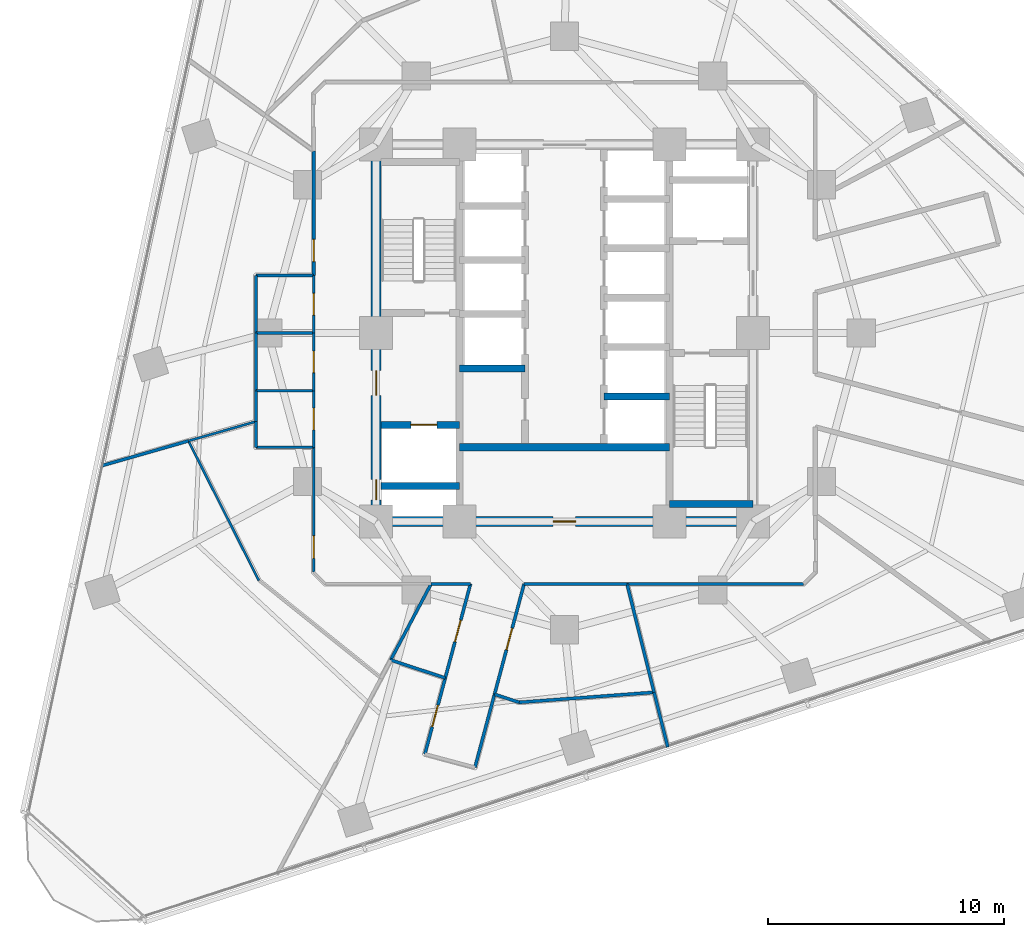
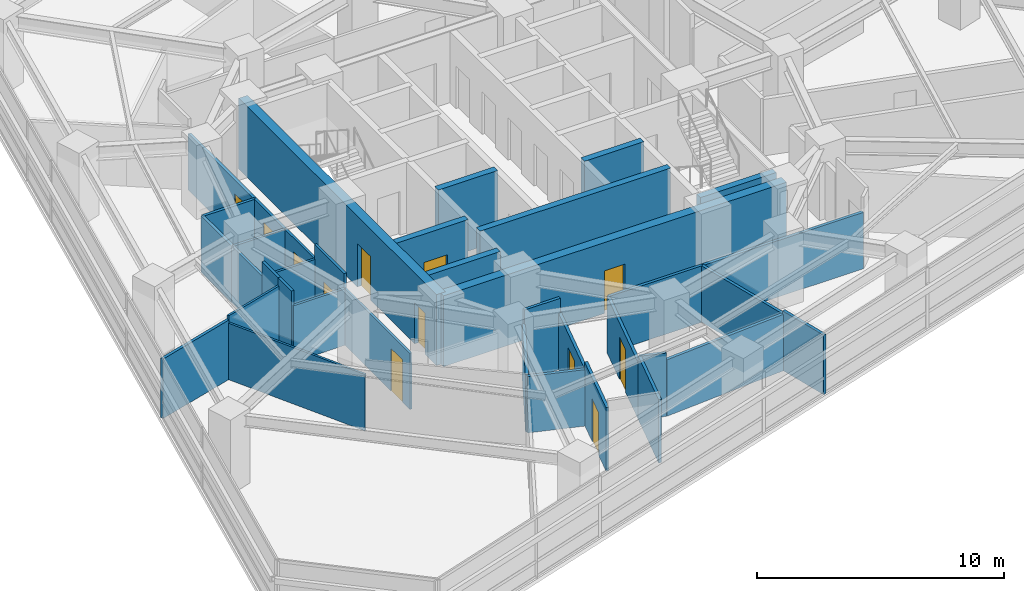
# One storey, part 7 of 13: 37 walls, 12 doors, 12 openings.
"""IFC4 building model written with IfcOpenShell, lengths in metres."""

import ifcopenshell
import ifcopenshell.guid

model = None  # the IFC model being written
_history = None  # IfcOwnerHistory: only IFC2X3 demands one
_inside = {}  # id of a spatial element -> (the spatial element, [elements in it])
_under = {}  # id of a project, library or spatial element -> (it, [spatial elements below it])
_declared = {}  # id of a project -> (the project, [libraries it declares])
_typed = {}  # id of a type object -> (the type object, [elements of that type])
_made_of = {}  # id of a material, layer set ... -> (it, [elements and type objects made of it])


def new_model(schema):
    """Start an empty IFC model of exactly this schema.

    Asked for "IFC4X3", IfcOpenShell would pick the latest addendum, in which some entities
    have other attributes; the version numbers below select the first issue.
    IFC2X3 requires an IfcOwnerHistory on every rooted entity: one is made here for all.
    """
    global model, _history
    if schema == "IFC4X3":
        model = ifcopenshell.file(schema_version=(4, 3, 0, 0))
    else:
        model = ifcopenshell.file(schema=schema)
    _inside.clear()
    _under.clear()
    _declared.clear()
    _typed.clear()
    _made_of.clear()
    _history = None
    if model.schema == "IFC2X3":
        org = make("IfcOrganization", Name="unknown")
        user = make(
            "IfcPersonAndOrganization",
            ThePerson=make("IfcPerson", FamilyName="unknown"),
            TheOrganization=org,
        )
        app = make(
            "IfcApplication",
            ApplicationDeveloper=org,
            Version="unknown",
            ApplicationFullName="unknown",
            ApplicationIdentifier="unknown",
        )
        _history = make(
            "IfcOwnerHistory",
            OwningUser=user,
            OwningApplication=app,
            ChangeAction="ADDED",
            CreationDate=0,
        )
    return model


def make(cls, **values):
    """One entity of the class cls with the attributes given. An attribute that is None is left unset."""
    return model.create_entity(
        cls, **{name: value for name, value in values.items() if value is not None}
    )


def rooted(cls, **values):
    """An entity with a GlobalId (a new one), such as an element, a storey or a relation."""
    return make(cls, GlobalId=ifcopenshell.guid.new(), OwnerHistory=_history, **values)


def si_unit(unit_type, name, prefix=None):
    """IfcSIUnit, for example si_unit("LENGTHUNIT", "METRE", prefix="MILLI")."""
    return make("IfcSIUnit", UnitType=unit_type, Prefix=prefix, Name=name)


def assignment(units):
    """IfcUnitAssignment: the units of a project."""
    return None if units is None else make("IfcUnitAssignment", Units=units)


def point(xyz):
    """IfcCartesianPoint."""
    return None if xyz is None else make("IfcCartesianPoint", Coordinates=xyz)


def direction(xyz):
    """IfcDirection."""
    return None if xyz is None else make("IfcDirection", DirectionRatios=xyz)


def frame(location, z_axis=None, x_axis=None):
    """IfcAxis2Placement3D, a coordinate frame: its origin and axes. An axis left out is left unset."""
    return make(
        "IfcAxis2Placement3D",
        Location=point(location),
        Axis=direction(z_axis),
        RefDirection=direction(x_axis),
    )


def frame_2d(location, x_axis=None):
    """IfcAxis2Placement2D, a coordinate frame in the plane: its origin and x axis."""
    return make(
        "IfcAxis2Placement2D", Location=point(location), RefDirection=direction(x_axis)
    )


def origin():
    """The frame at (0, 0, 0) with its axes left unset."""
    return frame((0.0, 0.0, 0.0))


def place(relative_to, where):
    """IfcLocalPlacement: puts the frame where relative to a parent placement (None: the world)."""
    return make(
        "IfcLocalPlacement", PlacementRelTo=relative_to, RelativePlacement=where
    )


def context(
    kind, dimensions, precision=None, world=None, true_north=None, identifier=None
):
    """IfcGeometricRepresentationContext, for example the 3D "Model" context."""
    return make(
        "IfcGeometricRepresentationContext",
        ContextIdentifier=identifier,
        ContextType=kind,
        CoordinateSpaceDimension=dimensions,
        Precision=precision,
        WorldCoordinateSystem=world,
        TrueNorth=true_north,
    )


def subcontext(parent, identifier, kind, view, scale=None):
    """IfcGeometricRepresentationSubContext, for example "Body" below "Model"."""
    return make(
        "IfcGeometricRepresentationSubContext",
        ContextIdentifier=identifier,
        ContextType=kind,
        ParentContext=parent,
        TargetScale=scale,
        TargetView=view,
    )


def project(units=None, contexts=None):
    """IfcProject with its units and contexts."""
    return rooted(
        "IfcProject",
        Name="project",
        RepresentationContexts=contexts,
        UnitsInContext=assignment(units),
    )


def spatial(cls, under=None, at=None, **own):
    """A site, building, storey or space (cls), placed at a placement, below another one or the project."""
    s = rooted(cls, ObjectPlacement=at, **own)
    if under is not None:
        _under.setdefault(under.id(), (under, []))[1].append(s)
    return s


def profile(cls, at=None, kind="AREA", **sizes):
    """A parametric profile (cls). Its sizes go by their IFC names, for example OverallWidth=200.0."""
    return make(cls, ProfileType=kind, Position=at, **sizes)


def rectangle(**sizes):
    """IfcRectangleProfileDef."""
    return profile("IfcRectangleProfileDef", **sizes)


def extrude(swept, where, along, depth):
    """IfcExtrudedAreaSolid: the profile swept, set in the frame where, extruded along a direction by depth."""
    return make(
        "IfcExtrudedAreaSolid",
        SweptArea=swept,
        Position=where,
        ExtrudedDirection=direction(along),
        Depth=depth,
    )


def shape(context_of_items, identifier, shape_type, items):
    """IfcShapeRepresentation: the items that make up one representation, for example the "Body"."""
    return make(
        "IfcShapeRepresentation",
        ContextOfItems=context_of_items,
        RepresentationIdentifier=identifier,
        RepresentationType=shape_type,
        Items=items,
    )


def material(Name=None, Category=None):
    """IfcMaterial."""
    return make("IfcMaterial", Name=Name, Category=Category)


def layer(
    of_material, thickness, ventilated=None, Name=None, Category=None, Priority=None
):
    """IfcMaterialLayer: one layer of a wall or slab, of a material (None: an air gap)."""
    return make(
        "IfcMaterialLayer",
        Material=of_material,
        LayerThickness=thickness,
        IsVentilated=ventilated,
        Name=Name,
        Category=Category,
        Priority=Priority,
    )


def layer_set(layers, Name=None):
    """IfcMaterialLayerSet."""
    return make("IfcMaterialLayerSet", MaterialLayers=layers, LayerSetName=Name)


def made_of(thing, what):
    """Note that an element or type object is made of a material, layer set ...; save() writes the relation."""
    if what is not None:
        _made_of.setdefault(what.id(), (what, []))[1].append(thing)
    return thing


def type_object(cls, material=None, **own):
    """A type object (cls), such as IfcWallType, which elements share."""
    return made_of(rooted(cls, **own), material)


def element(
    cls,
    number,
    at=None,
    inside=None,
    cuts=None,
    type_object=None,
    material=None,
    context=None,
    identifier="Body",
    shape_type=None,
    held_by="IfcProductDefinitionShape",
    body=None,
    shapes=None,
    **own,
):
    """One element of the class cls, such as IfcWall. Its Tag is "e" and its number.

    at: its placement. inside: the storey or other place that contains it. cuts: it is an
    opening in that element (IfcRelVoidsElement). A single representation is given by context,
    identifier, shape_type and body (its items); several are given by shapes. held_by: the class
    of the entity that holds the representations. save() writes the other relations.
    """
    e = rooted(cls, Tag="e%d" % number, ObjectPlacement=at, **own)
    if body is not None:
        shapes = [shape(context, identifier, shape_type, body)]
    if shapes is not None:
        e.Representation = make(held_by, Representations=shapes)
    if inside is not None:
        _inside.setdefault(inside.id(), (inside, []))[1].append(e)
    if cuts is not None:
        rooted(
            "IfcRelVoidsElement", RelatingBuildingElement=cuts, RelatedOpeningElement=e
        )
    if type_object is not None:
        _typed.setdefault(type_object.id(), (type_object, []))[1].append(e)
    return made_of(e, material)


def fill(opening, filler):
    """IfcRelFillsElement: the door or window that sits in an opening."""
    return rooted(
        "IfcRelFillsElement",
        RelatingOpeningElement=opening,
        RelatedBuildingElement=filler,
    )


def aggregate(whole, parts):
    """IfcRelAggregates: a whole, such as a stair, and the parts it consists of."""
    return rooted("IfcRelAggregates", RelatingObject=whole, RelatedObjects=parts)


def save(model, path):
    """Write the relations noted so far, then the file.

    IfcRelAggregates (storeys below a building ...), IfcRelContainedInSpatialStructure (elements
    in a storey), IfcRelDefinesByType, IfcRelAssociatesMaterial and IfcRelDeclares: one each for
    every whole, place, type object, material and project.
    """
    for whole, parts in _under.values():
        aggregate(whole, parts)
    for where, things in _inside.values():
        rooted(
            "IfcRelContainedInSpatialStructure",
            RelatedElements=things,
            RelatingStructure=where,
        )
    for kind, things in _typed.values():
        rooted("IfcRelDefinesByType", RelatedObjects=things, RelatingType=kind)
    for what, things in _made_of.values():
        rooted("IfcRelAssociatesMaterial", RelatedObjects=things, RelatingMaterial=what)
    for by, libraries in _declared.values():
        rooted("IfcRelDeclares", RelatingContext=by, RelatedDefinitions=libraries)
    model.write(path)


model = new_model("IFC4")

# Units and contexts
model_context = context("Model", 3, precision=1e-05, world=origin(), true_north=direction((0.0, 1.0)))
body_context = subcontext(model_context, "Body", "Model", "MODEL_VIEW")
ifc_project = project(units=[si_unit("LENGTHUNIT", "METRE"), si_unit("AREAUNIT", "SQUARE_METRE"), si_unit("VOLUMEUNIT", "CUBIC_METRE"), si_unit("PLANEANGLEUNIT", "RADIAN"), si_unit("MASSUNIT", "GRAM", prefix="KILO")], contexts=[model_context])

# Site, building, storey
site_placement = place(None, origin())
site = spatial("IfcSite", under=ifc_project, at=site_placement, CompositionType="ELEMENT")
building_placement = place(site_placement, origin())
building = spatial("IfcBuilding", under=site, at=building_placement, Name="Terralouvre Media Tower", CompositionType="ELEMENT")
storey_placement = place(building_placement, frame((0.0, 0.0, 90.300048828125)))
storey = spatial("IfcBuildingStorey", under=building, at=storey_placement, Name="L22", CompositionType="ELEMENT", Elevation=90.300048828125)

# Wall
ifc_material_1 = material(Name="Concrete C50/60", Category="concrete")
ifc_layer_1 = layer(ifc_material_1, 0.300048828125, Name="Core Internal Shaft Wall CW-300")
ifc_layer_set_1 = layer_set([ifc_layer_1], Name="Concrete C50/60")
wall_type_1 = type_object("IfcWallType", Name="Core Internal Shaft Wall CW-300", PredefinedType="SHEAR", material=ifc_layer_set_1)
wall_1_placement = place(storey_placement, frame((4.449951171875, -7.260009765625, 0.0), z_axis=(0.0, 0.0, 1.0), x_axis=(1.0, 0.0, 0.0)))
element("IfcWall", 1, at=wall_1_placement, inside=storey, type_object=wall_type_1, Name="L22 Core Shaft Wall ST2F", PredefinedType="SHEAR", context=body_context, shape_type="SweptSolid", body=[
    extrude(rectangle(XDim=3.550048828125, YDim=0.300048828125, at=frame_2d((1.77490234375, 0.0))), origin(), (0.0, 0.0, 1.0), 3.5),
])

# Wall, opening, door
wall_2_placement = place(storey_placement, frame((-7.7900390625, -3.89990234375, 0.0), z_axis=(0.0, 0.0, 1.0), x_axis=(1.0, 0.0, 0.0)))
wall_2 = element("IfcWall", 2, at=wall_2_placement, inside=storey, type_object=wall_type_1, Name="L22 Core Shaft Wall FF1N", PredefinedType="SHEAR", context=body_context, shape_type="SweptSolid", body=[
    extrude(rectangle(XDim=3.340087890625, YDim=0.300048828125, at=frame_2d((1.669921875, 0.0))), origin(), (0.0, 0.0, 1.0), 3.5),
])
opening_1_placement = place(wall_2_placement, frame((1.27001953125, 0.0, 0.0)))
opening_1 = element("IfcOpeningElement", 3, at=opening_1_placement, cuts=wall_2, Name="Opening LD-FF", PredefinedType="OPENING", context=body_context, shape_type="SweptSolid", body=[
    extrude(rectangle(XDim=1.10009765625, YDim=2.10009765625, at=frame_2d((0.550048828125, 1.050048828125))), frame((0.0, 0.159912109375, 0.0), z_axis=(0.0, -1.0, 0.0), x_axis=(1.0, 0.0, 0.0)), (0.0, 0.0, 1.0), 0.320068359375),
])
ifc_material_2 = material(Name="Stainless steel 316 handrail and balustrade", Category="steel")
door_type_1 = type_object("IfcDoorType", Name="Firefighting Lift Sliding Landing Door LD-FF", OperationType="SLIDING_TO_LEFT", PredefinedType="DOOR", material=ifc_material_2)
door_1_placement = place(opening_1_placement, origin())
door_1 = element("IfcDoor", 4, at=door_1_placement, inside=storey, type_object=door_type_1, Name="L22 Firefighting Lift FFL-01 Landing Door", OperationType="SLIDING_TO_LEFT", OverallHeight=2.10009765625, OverallWidth=1.10009765625, PredefinedType="DOOR", context=body_context, shape_type="SweptSolid", body=[
    extrude(rectangle(XDim=1.10009765625, YDim=2.10009765625, at=frame_2d((0.550048828125, 1.050048828125))), frame((0.0, 0.02490234375, 0.0), z_axis=(0.0, -1.0, 0.0), x_axis=(1.0, 0.0, 0.0)), (0.0, 0.0, 1.0), 0.050048828125),
])
fill(opening_1, door_1)

# Walls
wall_3_placement = place(storey_placement, frame((-7.7900390625, -6.5, 0.0), z_axis=(0.0, 0.0, 1.0), x_axis=(1.0, 0.0, 0.0)))
element("IfcWall", 5, at=wall_3_placement, inside=storey, type_object=wall_type_1, Name="L22 Core Shaft Wall FF1S", PredefinedType="SHEAR", context=body_context, shape_type="SweptSolid", body=[
    extrude(rectangle(XDim=3.340087890625, YDim=0.300048828125, at=frame_2d((1.669921875, 0.0))), origin(), (0.0, 0.0, 1.0), 3.5),
])
wall_4_placement = place(storey_placement, frame((-4.449951171875, -4.85009765625, 0.0), z_axis=(0.0, 0.0, 1.0), x_axis=(1.0, 0.0, 0.0)))
element("IfcWall", 6, at=wall_4_placement, inside=storey, type_object=wall_type_1, Name="L22 Core Shaft Wall CSBN", PredefinedType="SHEAR", context=body_context, shape_type="SweptSolid", body=[
    extrude(rectangle(XDim=8.89990234375, YDim=0.300048828125, at=frame_2d((4.449951171875, 0.0))), origin(), (0.0, 0.0, 1.0), 3.5),
])
for number, where, z_axis, x_axis, name in (
    (7, (-4.449951171875, -1.5, 0.0), (0.0, 0.0, 1.0), (1.0, 0.0, 0.0), "L22 Core Shaft Wall PLLD0"),
    (8, (1.679931640625, -2.699951171875, 0.0), (0.0, 0.0, 1.0), (1.0, 0.0, 0.0), "L22 Core Shaft Wall PLHD1"),
):
    element("IfcWall", number, at=place(storey_placement, frame(where, z_axis=z_axis, x_axis=x_axis)), inside=storey, type_object=wall_type_1, Name=name, PredefinedType="SHEAR", context=body_context, shape_type="SweptSolid", body=[
        extrude(rectangle(XDim=2.77001953125, YDim=0.300048828125, at=frame_2d((1.385009765625, 0.0))), origin(), (0.0, 0.0, 1.0), 3.5),
    ])

# Wall, openings, doors
ifc_material_3 = material(Name="Concrete C60/75", Category="concrete")
ifc_layer_2 = layer(ifc_material_3, 0.419921875, Name="Core Reinforced Concrete Shear Wall CW-420")
ifc_layer_set_2 = layer_set([ifc_layer_2], Name="Concrete C60/75")
wall_type_2 = type_object("IfcWallType", Name="Core Reinforced Concrete Shear Wall CW-420", PredefinedType="SHEAR", material=ifc_layer_set_2)
wall_5_placement = place(storey_placement, frame((-8.0, -8.0, 0.0), z_axis=(0.0, 0.0, 1.0), x_axis=(0.0, 1.0, 0.0)))
wall_5 = element("IfcWall", 9, at=wall_5_placement, inside=storey, type_object=wall_type_2, Name="L22 W Core Shear Wall", PredefinedType="SHEAR", context=body_context, shape_type="SweptSolid", body=[
    extrude(rectangle(XDim=16.0, YDim=0.419921875, at=frame_2d((8.0, 0.0))), origin(), (0.0, 0.0, 1.0), 3.5),
])
opening_2_placement = place(wall_5_placement, frame((0.921630859375, 0.0, 0.0)))
opening_2 = element("IfcOpeningElement", 10, at=opening_2_placement, cuts=wall_5, Name="Opening TD-R1", PredefinedType="OPENING", context=body_context, shape_type="SweptSolid", body=[
    extrude(rectangle(XDim=0.85009765625, YDim=2.02001953125, at=frame_2d((0.425048828125, 1.010009765625))), frame((0.0, 0.219970703125, 0.0), z_axis=(0.0, -1.0, 0.0), x_axis=(1.0, 0.0, 0.0)), (0.0, 0.0, 1.0), 0.43994140625),
])
opening_3_placement = place(wall_5_placement, frame((5.35009765625, 0.0, 0.0)))
opening_3 = element("IfcOpeningElement", 11, at=opening_3_placement, cuts=wall_5, Name="Opening FD-01-105X215", PredefinedType="OPENING", context=body_context, shape_type="SweptSolid", body=[
    extrude(rectangle(XDim=1.050048828125, YDim=2.14990234375, at=frame_2d((0.52490234375, 1.074951171875))), frame((0.0, 0.219970703125, 0.0), z_axis=(0.0, -1.0, 0.0), x_axis=(1.0, 0.0, 0.0)), (0.0, 0.0, 1.0), 0.43994140625),
])
ifc_material_4 = material(Name="Galvanised steel fire-resisting leaf", Category="steel")
door_type_2 = type_object("IfcDoorType", Name="Riser Inspection Access Trapdoor TD-R1", OperationType="NOTDEFINED", PredefinedType="TRAPDOOR", material=ifc_material_4)
door_2_placement = place(opening_2_placement, origin())
door_2 = element("IfcDoor", 12, at=door_2_placement, inside=storey, type_object=door_type_2, Name="L22 Wet Riser Access Trapdoor", OperationType="SINGLE_SWING_LEFT", OverallHeight=2.02001953125, OverallWidth=0.85009765625, PredefinedType="TRAPDOOR", context=body_context, shape_type="SweptSolid", body=[
    extrude(rectangle(XDim=0.85009765625, YDim=2.02001953125, at=frame_2d((0.425048828125, 1.010009765625))), frame((0.0, 0.02490234375, 0.0), z_axis=(0.0, -1.0, 0.0), x_axis=(1.0, 0.0, 0.0)), (0.0, 0.0, 1.0), 0.050048828125),
])
fill(opening_2, door_2)
ifc_material_5 = material(Name="Galvanised steel fire-resisting leaf", Category="steel")
door_type_3 = type_object("IfcDoorType", Name="Stair and Firefighting Lobby Fire Door FD-01 (1050x2150)", OperationType="NOTDEFINED", PredefinedType="DOOR", material=ifc_material_5)
door_3_placement = place(opening_3_placement, origin())
door_3 = element("IfcDoor", 13, at=door_3_placement, inside=storey, type_object=door_type_3, Name="L22 West Firefighting Lobby Entry Door", OperationType="SINGLE_SWING_RIGHT", OverallHeight=2.14990234375, OverallWidth=1.050048828125, PredefinedType="DOOR", context=body_context, shape_type="SweptSolid", body=[
    extrude(rectangle(XDim=1.050048828125, YDim=2.14990234375, at=frame_2d((0.52490234375, 1.074951171875))), frame((0.0, 0.02490234375, 0.0), z_axis=(0.0, -1.0, 0.0), x_axis=(1.0, 0.0, 0.0)), (0.0, 0.0, 1.0), 0.050048828125),
])
fill(opening_3, door_3)

# Wall, opening, door
wall_6_placement = place(storey_placement, frame((-8.0, -8.0, 0.0), z_axis=(0.0, 0.0, 1.0), x_axis=(1.0, 0.0, 0.0)))
wall_6 = element("IfcWall", 14, at=wall_6_placement, inside=storey, type_object=wall_type_2, Name="L22 S Core Shear Wall", PredefinedType="SHEAR", context=body_context, shape_type="SweptSolid", body=[
    extrude(rectangle(XDim=16.0, YDim=0.419921875, at=frame_2d((8.0, 0.0))), origin(), (0.0, 0.0, 1.0), 3.5),
])
opening_4_placement = place(wall_6_placement, frame((7.52001953125, 0.0, 0.0)))
opening_4 = element("IfcOpeningElement", 15, at=opening_4_placement, cuts=wall_6, Name="Opening FD-02-95X210", PredefinedType="OPENING", context=body_context, shape_type="SweptSolid", body=[
    extrude(rectangle(XDim=0.949951171875, YDim=2.10009765625, at=frame_2d((0.47509765625, 1.050048828125))), frame((0.0, 0.219970703125, 0.0), z_axis=(0.0, -1.0, 0.0), x_axis=(1.0, 0.0, 0.0)), (0.0, 0.0, 1.0), 0.43994140625),
])
ifc_material_6 = material(Name="Galvanised steel fire-resisting leaf", Category="steel")
door_type_4 = type_object("IfcDoorType", Name="Plant and Riser Fire Door FD-02 (950x2100)", OperationType="NOTDEFINED", PredefinedType="DOOR", material=ifc_material_6)
door_4_placement = place(opening_4_placement, origin())
door_4 = element("IfcDoor", 16, at=door_4_placement, inside=storey, type_object=door_type_4, Name="L22 Core Switchgear Plant Door", OperationType="SINGLE_SWING_LEFT", OverallHeight=2.10009765625, OverallWidth=0.949951171875, PredefinedType="DOOR", context=body_context, shape_type="SweptSolid", body=[
    extrude(rectangle(XDim=0.949951171875, YDim=2.10009765625, at=frame_2d((0.47509765625, 1.050048828125))), frame((0.0, 0.02490234375, 0.0), z_axis=(0.0, -1.0, 0.0), x_axis=(1.0, 0.0, 0.0)), (0.0, 0.0, 1.0), 0.050048828125),
])
fill(opening_4, door_4)

ifc_material_7 = material(Name="Low-iron laminated double glazing with solar-control coating", Category="glass")
ifc_layer_3 = layer(ifc_material_7, 0.10009765625, Name="Demountable Glazed Office Partition PT-GL100")
ifc_layer_set_3 = layer_set([ifc_layer_3], Name="Low-iron laminated double glazing with solar-control coating")
wall_type_3 = type_object("IfcWallType", Name="Demountable Glazed Office Partition PT-GL100", PredefinedType="MOVABLE", material=ifc_layer_set_3)
wall_7_placement = place(storey_placement, frame((-10.64990234375, -4.85009765625, 0.0), z_axis=(0.0, 0.0, 1.0), x_axis=(0.0, -1.0, 0.0)))
wall_7 = element("IfcWall", 17, at=wall_7_placement, inside=storey, type_object=wall_type_3, Name="L22 Interior Partition 019", PredefinedType="MOVABLE", context=body_context, shape_type="SweptSolid", body=[
    extrude(rectangle(XDim=5.2998046875, YDim=0.10009765625, at=frame_2d((2.64990234375, 0.0))), origin(), (0.0, 0.0, 1.0), 2.784912109375),
])
opening_5_placement = place(wall_7_placement, frame((3.764892578125, 0.0, 0.0)))
opening_5 = element("IfcOpeningElement", 18, at=opening_5_placement, cuts=wall_7, Name="Opening ID-02-95X210", PredefinedType="OPENING", context=body_context, shape_type="SweptSolid", body=[
    extrude(rectangle(XDim=0.949951171875, YDim=2.10009765625, at=frame_2d((0.47509765625, 1.050048828125))), frame((0.0, 0.06005859375, 0.0), z_axis=(0.0, -1.0, 0.0), x_axis=(1.0, 0.0, 0.0)), (0.0, 0.0, 1.0), 0.1201171875),
])
ifc_material_8 = material(Name="Engineered hardwood acoustic timber leaf", Category="wood")
door_type_5 = type_object("IfcDoorType", Name="Office and Meeting Room Door ID-02 (950x2100)", OperationType="NOTDEFINED", PredefinedType="DOOR", material=ifc_material_8)
door_5_placement = place(opening_5_placement, origin())
door_5 = element("IfcDoor", 19, at=door_5_placement, inside=storey, type_object=door_type_5, Name="L22 Storyboarding Conference Room 5 Door", OperationType="SINGLE_SWING_RIGHT", OverallHeight=2.10009765625, OverallWidth=0.949951171875, PredefinedType="DOOR", context=body_context, shape_type="SweptSolid", body=[
    extrude(rectangle(XDim=0.949951171875, YDim=2.10009765625, at=frame_2d((0.47509765625, 1.050048828125))), frame((0.0, 0.02490234375, 0.0), z_axis=(0.0, -1.0, 0.0), x_axis=(1.0, 0.0, 0.0)), (0.0, 0.0, 1.0), 0.050048828125),
])
fill(opening_5, door_5)

# Walls
wall_8_placement = place(storey_placement, frame((-15.968017578125, -4.5791015625, 0.0), z_axis=(0.0, 0.0, 1.0), x_axis=(0.450166439867, -0.892944665933, 0.0)))
element("IfcWall", 20, at=wall_8_placement, inside=storey, type_object=wall_type_3, Name="L22 Interior Partition 049", PredefinedType="MOVABLE", context=body_context, shape_type="SweptSolid", body=[
    extrude(rectangle(XDim=6.641845703125, YDim=0.10009765625, at=frame_2d((3.32080078125, 0.0))), origin(), (0.0, 0.0, 1.0), 2.784912109375),
])
wall_9_placement = place(storey_placement, frame((-13.10009765625, -3.756103515625, 0.0), z_axis=(0.0, 0.0, 1.0), x_axis=(-0.961205264208, -0.275834080671, 0.0)))
element("IfcWall", 21, at=wall_9_placement, inside=storey, type_object=wall_type_3, Name="L22 Interior Partition 051", PredefinedType="MOVABLE", context=body_context, shape_type="SweptSolid", body=[
    extrude(rectangle(XDim=2.983642578125, YDim=0.10009765625, at=frame_2d((1.49169921875, 0.0))), origin(), (0.0, 0.0, 1.0), 3.125),
])
ifc_material_9 = material(Name="Fire-rated gypsum board drywall partition")
ifc_layer_4 = layer(ifc_material_9, 0.135009765625, Name="Newsroom Acoustic Partition PT-135")
ifc_layer_set_4 = layer_set([ifc_layer_4], Name="Fire-rated gypsum board drywall partition")
wall_type_4 = type_object("IfcWallType", Name="Newsroom Acoustic Partition PT-135", PredefinedType="PARTITIONING", material=ifc_layer_set_4)
wall_10_placement = place(storey_placement, frame((-5.6630859375, -10.64990234375, 0.0), z_axis=(0.0, 0.0, 1.0), x_axis=(1.0, 0.0, 0.0)))
element("IfcWall", 22, at=wall_10_placement, inside=storey, type_object=wall_type_4, Name="L22 Interior Partition 010", PredefinedType="PARTITIONING", context=body_context, shape_type="SweptSolid", body=[
    extrude(rectangle(XDim=1.671142578125, YDim=0.135009765625, at=frame_2d((0.83544921875, 0.0))), origin(), (0.0, 0.0, 1.0), 3.5),
])

# Wall, opening, door
wall_11_placement = place(storey_placement, frame((-3.991943359375, -10.64990234375, 0.0), z_axis=(0.0, 0.0, 1.0), x_axis=(-0.259046685972, -0.96586480135, 0.0)))
wall_11 = element("IfcWall", 23, at=wall_11_placement, inside=storey, type_object=wall_type_4, Name="L22 Interior Partition 011", PredefinedType="PARTITIONING", context=body_context, shape_type="SweptSolid", body=[
    extrude(rectangle(XDim=4.138427734375, YDim=0.135009765625, at=frame_2d((2.0693359375, 0.0))), origin(), (0.0, 0.0, 1.0), 2.784912109375),
])
opening_6_placement = place(wall_11_placement, frame((1.593994140625, 0.0, 0.0)))
opening_6 = element("IfcOpeningElement", 24, at=opening_6_placement, cuts=wall_11, Name="Opening ID-02-95X210", PredefinedType="OPENING", context=body_context, shape_type="SweptSolid", body=[
    extrude(rectangle(XDim=0.949951171875, YDim=2.10009765625, at=frame_2d((0.47509765625, 1.050048828125))), frame((0.0, 0.077392578125, 0.0), z_axis=(0.0, -1.0, 0.0), x_axis=(1.0, 0.0, 0.0)), (0.0, 0.0, 1.0), 0.155029296875),
])
door_6_placement = place(opening_6_placement, origin())
door_6 = element("IfcDoor", 25, at=door_6_placement, inside=storey, type_object=door_type_5, Name="L22 Master Film Reel Vault Store 2 Door", OperationType="SINGLE_SWING_LEFT", OverallHeight=2.10009765625, OverallWidth=0.949951171875, PredefinedType="DOOR", context=body_context, shape_type="SweptSolid", body=[
    extrude(rectangle(XDim=0.949951171875, YDim=2.10009765625, at=frame_2d((0.47509765625, 1.050048828125))), frame((0.0, 0.02490234375, 0.0), z_axis=(0.0, -1.0, 0.0), x_axis=(1.0, 0.0, 0.0)), (0.0, 0.0, 1.0), 0.050048828125),
])
fill(opening_6, door_6)

wall_12_placement = place(storey_placement, frame((-5.06396484375, -14.64697265625, 0.0), z_axis=(0.0, 0.0, 1.0), x_axis=(-0.258558355083, -0.965995640268, 0.0)))
wall_12 = element("IfcWall", 26, at=wall_12_placement, inside=storey, type_object=wall_type_4, Name="L22 Interior Partition 012", PredefinedType="PARTITIONING", context=body_context, shape_type="SweptSolid", body=[
    extrude(rectangle(XDim=3.341552734375, YDim=0.135009765625, at=frame_2d((1.6708984375, 0.0))), origin(), (0.0, 0.0, 1.0), 3.125),
])
opening_7_placement = place(wall_12_placement, frame((1.19580078125, 0.0, 0.0)))
opening_7 = element("IfcOpeningElement", 27, at=opening_7_placement, cuts=wall_12, Name="Opening ID-02-95X210", PredefinedType="OPENING", context=body_context, shape_type="SweptSolid", body=[
    extrude(rectangle(XDim=0.949951171875, YDim=2.10009765625, at=frame_2d((0.47509765625, 1.050048828125))), frame((0.0, 0.077392578125, 0.0), z_axis=(0.0, -1.0, 0.0), x_axis=(1.0, 0.0, 0.0)), (0.0, 0.0, 1.0), 0.155029296875),
])
door_7_placement = place(opening_7_placement, origin())
door_7 = element("IfcDoor", 28, at=door_7_placement, inside=storey, type_object=door_type_5, Name="L22 Grading Client Lounge 3 Door", OperationType="SINGLE_SWING_RIGHT", OverallHeight=2.10009765625, OverallWidth=0.949951171875, PredefinedType="DOOR", context=body_context, shape_type="SweptSolid", body=[
    extrude(rectangle(XDim=0.949951171875, YDim=2.10009765625, at=frame_2d((0.47509765625, 1.050048828125))), frame((0.0, 0.02490234375, 0.0), z_axis=(0.0, -1.0, 0.0), x_axis=(1.0, 0.0, 0.0)), (0.0, 0.0, 1.0), 0.050048828125),
])
fill(opening_7, door_7)

# Wall
wall_13_placement = place(storey_placement, frame((-3.802978515625, -18.444091796875, 0.0), z_axis=(0.0, 0.0, 1.0), x_axis=(0.258739880159, 0.965947034995, 0.0)))
element("IfcWall", 29, at=wall_13_placement, inside=storey, type_object=wall_type_4, Name="L22 Interior Partition 014", PredefinedType="PARTITIONING", context=body_context, shape_type="SweptSolid", body=[
    extrude(rectangle(XDim=3.2158203125, YDim=0.135009765625, at=frame_2d((1.60791015625, 0.0))), origin(), (0.0, 0.0, 1.0), 3.125),
])

# Wall, opening, door
wall_14_placement = place(storey_placement, frame((-2.970947265625, -15.337890625, 0.0), z_axis=(0.0, 0.0, 1.0), x_axis=(0.258764582319, 0.965940417902, 0.0)))
wall_14 = element("IfcWall", 30, at=wall_14_placement, inside=storey, type_object=wall_type_4, Name="L22 Interior Partition 015", PredefinedType="PARTITIONING", context=body_context, shape_type="SweptSolid", body=[
    extrude(rectangle(XDim=4.853271484375, YDim=0.135009765625, at=frame_2d((2.4267578125, 0.0))), origin(), (0.0, 0.0, 1.0), 2.784912109375),
])
opening_8_placement = place(wall_14_placement, frame((1.95166015625, 0.0, 0.0)))
opening_8 = element("IfcOpeningElement", 31, at=opening_8_placement, cuts=wall_14, Name="Opening ID-02-95X210", PredefinedType="OPENING", context=body_context, shape_type="SweptSolid", body=[
    extrude(rectangle(XDim=0.949951171875, YDim=2.10009765625, at=frame_2d((0.47509765625, 1.050048828125))), frame((0.0, 0.077392578125, 0.0), z_axis=(0.0, -1.0, 0.0), x_axis=(1.0, 0.0, 0.0)), (0.0, 0.0, 1.0), 0.155029296875),
])
door_8_placement = place(opening_8_placement, origin())
door_8 = element("IfcDoor", 32, at=door_8_placement, inside=storey, type_object=door_type_5, Name="L22 Editorial Collaborative Open Office 4 Door", OperationType="SINGLE_SWING_LEFT", OverallHeight=2.10009765625, OverallWidth=0.949951171875, PredefinedType="DOOR", context=body_context, shape_type="SweptSolid", body=[
    extrude(rectangle(XDim=0.949951171875, YDim=2.10009765625, at=frame_2d((0.47509765625, 1.050048828125))), frame((0.0, 0.02490234375, 0.0), z_axis=(0.0, -1.0, 0.0), x_axis=(1.0, 0.0, 0.0)), (0.0, 0.0, 1.0), 0.050048828125),
])
fill(opening_8, door_8)

# Walls
wall_15_placement = place(storey_placement, frame((-1.715087890625, -10.64990234375, 0.0), z_axis=(0.0, 0.0, 1.0), x_axis=(1.0, 0.0, 0.0)))
element("IfcWall", 33, at=wall_15_placement, inside=storey, type_object=wall_type_4, Name="L22 Interior Partition 016", PredefinedType="PARTITIONING", context=body_context, shape_type="SweptSolid", body=[
    extrude(rectangle(XDim=4.3701171875, YDim=0.135009765625, at=frame_2d((2.18505859375, 0.0))), origin(), (0.0, 0.0, 1.0), 2.784912109375),
])
wall_16_placement = place(storey_placement, frame((2.655029296875, -10.64990234375, 0.0), z_axis=(0.0, 0.0, 1.0), x_axis=(1.0, 0.0, 0.0)))
element("IfcWall", 34, at=wall_16_placement, inside=storey, type_object=wall_type_4, Name="L22 Interior Partition 022", PredefinedType="PARTITIONING", context=body_context, shape_type="SweptSolid", body=[
    extrude(rectangle(XDim=7.494873046875, YDim=0.135009765625, at=frame_2d((3.74755859375, 0.0))), origin(), (0.0, 0.0, 1.0), 2.784912109375),
])

# Wall, opening, door
wall_17_placement = place(storey_placement, frame((-10.64990234375, 7.738037109375, 0.0), z_axis=(0.0, 0.0, 1.0), x_axis=(0.0, -1.0, 0.0)))
wall_17 = element("IfcWall", 35, at=wall_17_placement, inside=storey, type_object=wall_type_4, Name="L22 Interior Partition 031", PredefinedType="PARTITIONING", context=body_context, shape_type="SweptSolid", body=[
    extrude(rectangle(XDim=5.2880859375, YDim=0.135009765625, at=frame_2d((2.64404296875, 0.0))), origin(), (0.0, 0.0, 1.0), 2.784912109375),
])
opening_9_placement = place(wall_17_placement, frame((3.75537109375, 0.0, 0.0)))
opening_9 = element("IfcOpeningElement", 36, at=opening_9_placement, cuts=wall_17, Name="Opening ID-02-95X210", PredefinedType="OPENING", context=body_context, shape_type="SweptSolid", body=[
    extrude(rectangle(XDim=0.949951171875, YDim=2.10009765625, at=frame_2d((0.47509765625, 1.050048828125))), frame((0.0, 0.077392578125, 0.0), z_axis=(0.0, -1.0, 0.0), x_axis=(1.0, 0.0, 0.0)), (0.0, 0.0, 1.0), 0.155029296875),
])
door_9_placement = place(opening_9_placement, origin())
door_9 = element("IfcDoor", 37, at=door_9_placement, inside=storey, type_object=door_type_5, Name="L22 Documentary Archive Library 11 Door", OperationType="SINGLE_SWING_RIGHT", OverallHeight=2.10009765625, OverallWidth=0.949951171875, PredefinedType="DOOR", context=body_context, shape_type="SweptSolid", body=[
    extrude(rectangle(XDim=0.949951171875, YDim=2.10009765625, at=frame_2d((0.47509765625, 1.050048828125))), frame((0.0, 0.02490234375, 0.0), z_axis=(0.0, -1.0, 0.0), x_axis=(1.0, 0.0, 0.0)), (0.0, 0.0, 1.0), 0.050048828125),
])
fill(opening_9, door_9)

# Walls
wall_18_placement = place(storey_placement, frame((-7.382080078125, -13.883056640625, 0.0), z_axis=(0.0, 0.0, 1.0), x_axis=(0.949758055829, -0.312985040199, 0.0)))
element("IfcWall", 38, at=wall_18_placement, inside=storey, type_object=wall_type_4, Name="L22 Interior Partition 035", PredefinedType="PARTITIONING", context=body_context, shape_type="SweptSolid", body=[
    extrude(rectangle(XDim=2.440673828125, YDim=0.135009765625, at=frame_2d((1.22021484375, 0.0))), origin(), (0.0, 0.0, 1.0), 2.784912109375),
])
wall_19_placement = place(storey_placement, frame((-5.6630859375, -10.64990234375, 0.0), z_axis=(0.0, 0.0, 1.0), x_axis=(-0.469449315633, -0.882959421521, 0.0)))
element("IfcWall", 39, at=wall_19_placement, inside=storey, type_object=wall_type_4, Name="L22 Interior Partition 036", PredefinedType="PARTITIONING", context=body_context, shape_type="SweptSolid", body=[
    extrude(rectangle(XDim=3.66162109375, YDim=0.135009765625, at=frame_2d((1.830810546875, 0.0))), origin(), (0.0, 0.0, 1.0), 2.784912109375),
])
wall_20_placement = place(storey_placement, frame((3.803955078125, -15.256103515625, 0.0), z_axis=(0.0, 0.0, 1.0), x_axis=(-0.99725056907, -0.07410332307, 0.0)))
element("IfcWall", 40, at=wall_20_placement, inside=storey, type_object=wall_type_4, Name="L22 Interior Partition 037", PredefinedType="PARTITIONING", context=body_context, shape_type="SweptSolid", body=[
    extrude(rectangle(XDim=5.745849609375, YDim=0.135009765625, at=frame_2d((2.873046875, 0.0))), origin(), (0.0, 0.0, 1.0), 2.784912109375),
])
wall_21_placement = place(storey_placement, frame((-1.926025390625, -15.681884765625, 0.0), z_axis=(0.0, 0.0, 1.0), x_axis=(-0.949852955326, 0.312696919171, 0.0)))
element("IfcWall", 41, at=wall_21_placement, inside=storey, type_object=wall_type_4, Name="L22 Interior Partition 038", PredefinedType="PARTITIONING", context=body_context, shape_type="SweptSolid", body=[
    extrude(rectangle(XDim=1.10009765625, YDim=0.135009765625, at=frame_2d((0.550048828125, 0.0))), origin(), (0.0, 0.0, 1.0), 3.125),
])
wall_22_placement = place(storey_placement, frame((4.3828125, -17.578125, 0.0), z_axis=(0.0, 0.0, 1.0), x_axis=(-0.241887449135, 0.970304314095, 0.0)))
element("IfcWall", 42, at=wall_22_placement, inside=storey, type_object=wall_type_4, Name="L22 Interior Partition 041", PredefinedType="PARTITIONING", context=body_context, shape_type="SweptSolid", body=[
    extrude(rectangle(XDim=2.39306640625, YDim=0.135009765625, at=frame_2d((1.196533203125, 0.0))), origin(), (0.0, 0.0, 1.0), 2.93505859375),
])
wall_23_placement = place(storey_placement, frame((3.803955078125, -15.256103515625, 0.0), z_axis=(0.0, 0.0, 1.0), x_axis=(-0.24201527033, 0.970272440569, 0.0)))
element("IfcWall", 43, at=wall_23_placement, inside=storey, type_object=wall_type_4, Name="L22 Interior Partition 042", PredefinedType="PARTITIONING", context=body_context, shape_type="SweptSolid", body=[
    extrude(rectangle(XDim=4.747314453125, YDim=0.135009765625, at=frame_2d((2.37353515625, 0.0))), origin(), (0.0, 0.0, 1.0), 2.784912109375),
])
wall_24_placement = place(storey_placement, frame((-15.968017578125, -4.5791015625, 0.0), z_axis=(0.0, 0.0, 1.0), x_axis=(-0.961294264275, -0.275523751194, 0.0)))
element("IfcWall", 44, at=wall_24_placement, inside=storey, type_object=wall_type_4, Name="L22 Interior Partition 052", PredefinedType="PARTITIONING", context=body_context, shape_type="SweptSolid", body=[
    extrude(rectangle(XDim=3.856201171875, YDim=0.135009765625, at=frame_2d((1.92822265625, 0.0))), origin(), (0.0, 0.0, 1.0), 2.93505859375),
])
wall_25_placement = place(storey_placement, frame((-13.10009765625, 0.0, 0.0), z_axis=(0.0, 0.0, 1.0), x_axis=(0.0, 1.0, 0.0)))
element("IfcWall", 45, at=wall_25_placement, inside=storey, type_object=wall_type_4, Name="L22 Interior Partition 059", PredefinedType="PARTITIONING", context=body_context, shape_type="SweptSolid", body=[
    extrude(rectangle(XDim=2.449951171875, YDim=0.135009765625, at=frame_2d((1.22509765625, 0.0))), origin(), (0.0, 0.0, 1.0), 2.784912109375),
])
wall_26_placement = place(storey_placement, frame((-13.10009765625, 2.449951171875, 0.0), z_axis=(0.0, 0.0, 1.0), x_axis=(1.0, 0.0, 0.0)))
element("IfcWall", 46, at=wall_26_placement, inside=storey, type_object=wall_type_4, Name="L22 Interior Partition 060", PredefinedType="PARTITIONING", context=body_context, shape_type="SweptSolid", body=[
    extrude(rectangle(XDim=2.4501953125, YDim=0.135009765625, at=frame_2d((1.22509765625, 0.0))), origin(), (0.0, 0.0, 1.0), 2.784912109375),
])

# Wall, opening, door
ifc_material_10 = material(Name="Fire-rated gypsum board drywall partition")
ifc_layer_5 = layer(ifc_material_10, 0.114990234375, Name="Restroom and Pantry Partition PT-115")
ifc_layer_set_5 = layer_set([ifc_layer_5], Name="Fire-rated gypsum board drywall partition")
wall_type_5 = type_object("IfcWallType", Name="Restroom and Pantry Partition PT-115", PredefinedType="PARTITIONING", material=ifc_layer_set_5)
wall_27_placement = place(storey_placement, frame((-10.64990234375, 0.0, 0.0), z_axis=(0.0, 0.0, 1.0), x_axis=(0.0, -1.0, 0.0)))
wall_27 = element("IfcWall", 47, at=wall_27_placement, inside=storey, type_object=wall_type_5, Name="L22 Interior Partition 017", PredefinedType="PARTITIONING", context=body_context, shape_type="SweptSolid", body=[
    extrude(rectangle(XDim=2.449951171875, YDim=0.114990234375, at=frame_2d((1.22509765625, 0.0))), origin(), (0.0, 0.0, 1.0), 2.784912109375),
])
opening_10_placement = place(wall_27_placement, frame((0.764892578125, 0.0, 0.0)))
opening_10 = element("IfcOpeningElement", 48, at=opening_10_placement, cuts=wall_27, Name="Opening ID-03-92X210", PredefinedType="OPENING", context=body_context, shape_type="SweptSolid", body=[
    extrude(rectangle(XDim=0.919921875, YDim=2.10009765625, at=frame_2d((0.4599609375, 1.050048828125))), frame((0.0, 0.0673828125, 0.0), z_axis=(0.0, -1.0, 0.0), x_axis=(1.0, 0.0, 0.0)), (0.0, 0.0, 1.0), 0.135009765625),
])
ifc_material_11 = material(Name="Engineered hardwood acoustic timber leaf", Category="wood")
door_type_6 = type_object("IfcDoorType", Name="Accessible Restroom and Suite Door ID-03 (920x2100)", OperationType="NOTDEFINED", PredefinedType="DOOR", material=ifc_material_11)
door_10_placement = place(opening_10_placement, origin())
door_10 = element("IfcDoor", 49, at=door_10_placement, inside=storey, type_object=door_type_6, Name="L22 Female Restroom WC Door", OperationType="SINGLE_SWING_RIGHT", OverallHeight=2.10009765625, OverallWidth=0.919921875, PredefinedType="DOOR", context=body_context, shape_type="SweptSolid", body=[
    extrude(rectangle(XDim=0.919921875, YDim=2.10009765625, at=frame_2d((0.4599609375, 1.050048828125))), frame((0.0, 0.02490234375, 0.0), z_axis=(0.0, -1.0, 0.0), x_axis=(1.0, 0.0, 0.0)), (0.0, 0.0, 1.0), 0.050048828125),
])
fill(opening_10, door_10)

wall_28_placement = place(storey_placement, frame((-10.64990234375, -2.449951171875, 0.0), z_axis=(0.0, 0.0, 1.0), x_axis=(0.0, -1.0, 0.0)))
wall_28 = element("IfcWall", 50, at=wall_28_placement, inside=storey, type_object=wall_type_5, Name="L22 Interior Partition 018", PredefinedType="PARTITIONING", context=body_context, shape_type="SweptSolid", body=[
    extrude(rectangle(XDim=2.400146484375, YDim=0.114990234375, at=frame_2d((1.2001953125, 0.0))), origin(), (0.0, 0.0, 1.0), 3.5),
])
opening_11_placement = place(wall_28_placement, frame((0.739990234375, 0.0, 0.0)))
opening_11 = element("IfcOpeningElement", 51, at=opening_11_placement, cuts=wall_28, Name="Opening ID-03-92X210", PredefinedType="OPENING", context=body_context, shape_type="SweptSolid", body=[
    extrude(rectangle(XDim=0.919921875, YDim=2.10009765625, at=frame_2d((0.4599609375, 1.050048828125))), frame((0.0, 0.0673828125, 0.0), z_axis=(0.0, -1.0, 0.0), x_axis=(1.0, 0.0, 0.0)), (0.0, 0.0, 1.0), 0.135009765625),
])
door_11_placement = place(opening_11_placement, origin())
door_11 = element("IfcDoor", 52, at=door_11_placement, inside=storey, type_object=door_type_6, Name="L22 Male Restroom WC Door", OperationType="SINGLE_SWING_LEFT", OverallHeight=2.10009765625, OverallWidth=0.919921875, PredefinedType="DOOR", context=body_context, shape_type="SweptSolid", body=[
    extrude(rectangle(XDim=0.919921875, YDim=2.10009765625, at=frame_2d((0.4599609375, 1.050048828125))), frame((0.0, 0.02490234375, 0.0), z_axis=(0.0, -1.0, 0.0), x_axis=(1.0, 0.0, 0.0)), (0.0, 0.0, 1.0), 0.050048828125),
])
fill(opening_11, door_11)

wall_29_placement = place(storey_placement, frame((-10.64990234375, 2.449951171875, 0.0), z_axis=(0.0, 0.0, 1.0), x_axis=(0.0, -1.0, 0.0)))
wall_29 = element("IfcWall", 53, at=wall_29_placement, inside=storey, type_object=wall_type_5, Name="L22 Interior Partition 032", PredefinedType="PARTITIONING", context=body_context, shape_type="SweptSolid", body=[
    extrude(rectangle(XDim=2.449951171875, YDim=0.114990234375, at=frame_2d((1.22509765625, 0.0))), origin(), (0.0, 0.0, 1.0), 2.784912109375),
])
opening_12_placement = place(wall_29_placement, frame((0.764892578125, 0.0, 0.0)))
opening_12 = element("IfcOpeningElement", 54, at=opening_12_placement, cuts=wall_29, Name="Opening ID-03-92X210", PredefinedType="OPENING", context=body_context, shape_type="SweptSolid", body=[
    extrude(rectangle(XDim=0.919921875, YDim=2.10009765625, at=frame_2d((0.4599609375, 1.050048828125))), frame((0.0, 0.0673828125, 0.0), z_axis=(0.0, -1.0, 0.0), x_axis=(1.0, 0.0, 0.0)), (0.0, 0.0, 1.0), 0.135009765625),
])
door_12_placement = place(opening_12_placement, origin())
door_12 = element("IfcDoor", 55, at=door_12_placement, inside=storey, type_object=door_type_6, Name="L22 Accessible Unisex WC Door", OperationType="SINGLE_SWING_LEFT", OverallHeight=2.10009765625, OverallWidth=0.919921875, PredefinedType="DOOR", context=body_context, shape_type="SweptSolid", body=[
    extrude(rectangle(XDim=0.919921875, YDim=2.10009765625, at=frame_2d((0.4599609375, 1.050048828125))), frame((0.0, 0.02490234375, 0.0), z_axis=(0.0, -1.0, 0.0), x_axis=(1.0, 0.0, 0.0)), (0.0, 0.0, 1.0), 0.050048828125),
])
fill(opening_12, door_12)

# Walls
wall_30_placement = place(storey_placement, frame((-13.10009765625, -2.449951171875, 0.0), z_axis=(0.0, 0.0, 1.0), x_axis=(1.0, 0.0, 0.0)))
element("IfcWall", 56, at=wall_30_placement, inside=storey, type_object=wall_type_5, Name="L22 Interior Partition 043", PredefinedType="PARTITIONING", context=body_context, shape_type="SweptSolid", body=[
    extrude(rectangle(XDim=2.4501953125, YDim=0.114990234375, at=frame_2d((1.22509765625, 0.0))), origin(), (0.0, 0.0, 1.0), 2.784912109375),
])
wall_31_placement = place(storey_placement, frame((-13.10009765625, 0.0, 0.0), z_axis=(0.0, 0.0, 1.0), x_axis=(0.0, -1.0, 0.0)))
element("IfcWall", 57, at=wall_31_placement, inside=storey, type_object=wall_type_5, Name="L22 Interior Partition 044", PredefinedType="PARTITIONING", context=body_context, shape_type="SweptSolid", body=[
    extrude(rectangle(XDim=2.449951171875, YDim=0.114990234375, at=frame_2d((1.22509765625, 0.0))), origin(), (0.0, 0.0, 1.0), 2.784912109375),
])
wall_32_placement = place(storey_placement, frame((-10.64990234375, 0.0, 0.0), z_axis=(0.0, 0.0, 1.0), x_axis=(-1.0, 0.0, 0.0)))
element("IfcWall", 58, at=wall_32_placement, inside=storey, type_object=wall_type_5, Name="L22 Interior Partition 045", PredefinedType="PARTITIONING", context=body_context, shape_type="SweptSolid", body=[
    extrude(rectangle(XDim=2.4501953125, YDim=0.114990234375, at=frame_2d((1.22509765625, 0.0))), origin(), (0.0, 0.0, 1.0), 2.784912109375),
])
wall_33_placement = place(storey_placement, frame((-13.10009765625, -3.756103515625, 0.0), z_axis=(0.0, 0.0, 1.0), x_axis=(0.0, -1.0, 0.0)))
element("IfcWall", 59, at=wall_33_placement, inside=storey, type_object=wall_type_5, Name="L22 Interior Partition 046", PredefinedType="PARTITIONING", context=body_context, shape_type="SweptSolid", body=[
    extrude(rectangle(XDim=1.093994140625, YDim=0.114990234375, at=frame_2d((0.546875, 0.0))), origin(), (0.0, 0.0, 1.0), 3.5),
])
wall_34_placement = place(storey_placement, frame((-13.10009765625, -4.85009765625, 0.0), z_axis=(0.0, 0.0, 1.0), x_axis=(1.0, 0.0, 0.0)))
element("IfcWall", 60, at=wall_34_placement, inside=storey, type_object=wall_type_5, Name="L22 Interior Partition 047", PredefinedType="PARTITIONING", context=body_context, shape_type="SweptSolid", body=[
    extrude(rectangle(XDim=2.4501953125, YDim=0.114990234375, at=frame_2d((1.22509765625, 0.0))), origin(), (0.0, 0.0, 1.0), 2.784912109375),
])
wall_35_placement = place(storey_placement, frame((-13.10009765625, -2.449951171875, 0.0), z_axis=(0.0, 0.0, 1.0), x_axis=(0.0, -1.0, 0.0)))
element("IfcWall", 61, at=wall_35_placement, inside=storey, type_object=wall_type_5, Name="L22 Interior Partition 048", PredefinedType="PARTITIONING", context=body_context, shape_type="SweptSolid", body=[
    extrude(rectangle(XDim=1.30615234375, YDim=0.114990234375, at=frame_2d((0.653076171875, 0.0))), origin(), (0.0, 0.0, 1.0), 3.5),
])

save(model, "model.ifc")
